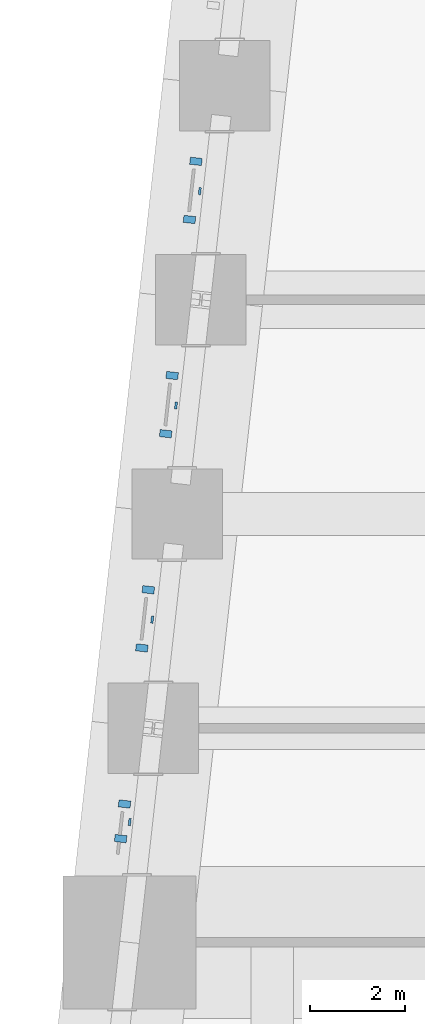
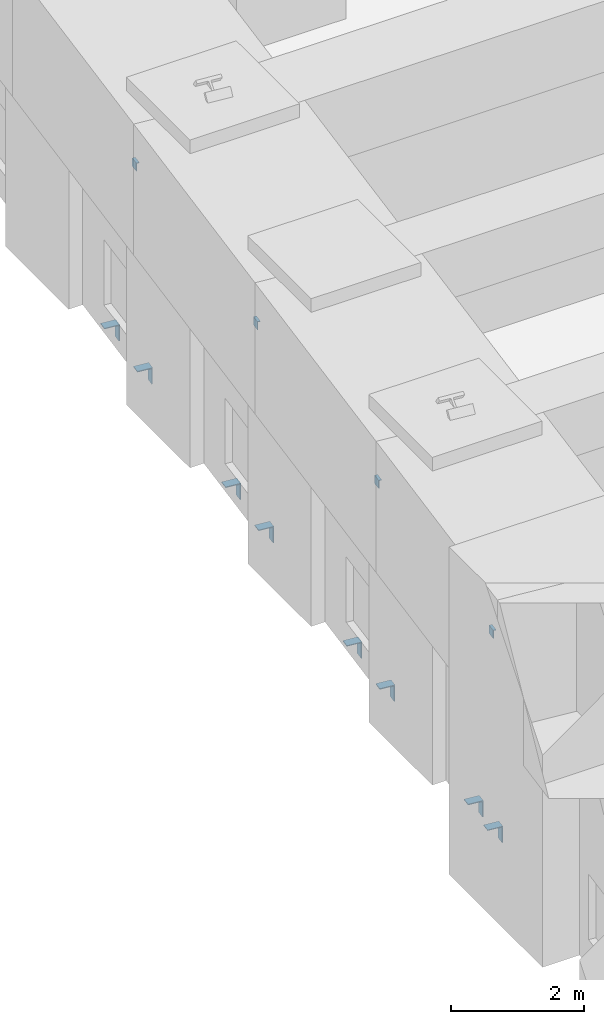
# One storey, part 11 of 17: 12 discrete accessories.
"""IFC4 building model written with IfcOpenShell, lengths in metres."""

import ifcopenshell
import ifcopenshell.guid

model = None  # the IFC model being written
_history = None  # IfcOwnerHistory: only IFC2X3 demands one
_inside = {}  # id of a spatial element -> (the spatial element, [elements in it])
_under = {}  # id of a project, library or spatial element -> (it, [spatial elements below it])
_declared = {}  # id of a project -> (the project, [libraries it declares])
_typed = {}  # id of a type object -> (the type object, [elements of that type])
_made_of = {}  # id of a material, layer set ... -> (it, [elements and type objects made of it])


def new_model(schema):
    """Start an empty IFC model of exactly this schema.

    Asked for "IFC4X3", IfcOpenShell would pick the latest addendum, in which some entities
    have other attributes; the version numbers below select the first issue.
    IFC2X3 requires an IfcOwnerHistory on every rooted entity: one is made here for all.
    """
    global model, _history
    if schema == "IFC4X3":
        model = ifcopenshell.file(schema_version=(4, 3, 0, 0))
    else:
        model = ifcopenshell.file(schema=schema)
    _inside.clear()
    _under.clear()
    _declared.clear()
    _typed.clear()
    _made_of.clear()
    _history = None
    if model.schema == "IFC2X3":
        org = make("IfcOrganization", Name="unknown")
        user = make(
            "IfcPersonAndOrganization",
            ThePerson=make("IfcPerson", FamilyName="unknown"),
            TheOrganization=org,
        )
        app = make(
            "IfcApplication",
            ApplicationDeveloper=org,
            Version="unknown",
            ApplicationFullName="unknown",
            ApplicationIdentifier="unknown",
        )
        _history = make(
            "IfcOwnerHistory",
            OwningUser=user,
            OwningApplication=app,
            ChangeAction="ADDED",
            CreationDate=0,
        )
    return model


def make(cls, **values):
    """One entity of the class cls with the attributes given. An attribute that is None is left unset."""
    return model.create_entity(
        cls, **{name: value for name, value in values.items() if value is not None}
    )


def rooted(cls, **values):
    """An entity with a GlobalId (a new one), such as an element, a storey or a relation."""
    return make(cls, GlobalId=ifcopenshell.guid.new(), OwnerHistory=_history, **values)


def si_unit(unit_type, name, prefix=None):
    """IfcSIUnit, for example si_unit("LENGTHUNIT", "METRE", prefix="MILLI")."""
    return make("IfcSIUnit", UnitType=unit_type, Prefix=prefix, Name=name)


def assignment(units):
    """IfcUnitAssignment: the units of a project."""
    return None if units is None else make("IfcUnitAssignment", Units=units)


def point(xyz):
    """IfcCartesianPoint."""
    return None if xyz is None else make("IfcCartesianPoint", Coordinates=xyz)


def direction(xyz):
    """IfcDirection."""
    return None if xyz is None else make("IfcDirection", DirectionRatios=xyz)


def frame(location, z_axis=None, x_axis=None):
    """IfcAxis2Placement3D, a coordinate frame: its origin and axes. An axis left out is left unset."""
    return make(
        "IfcAxis2Placement3D",
        Location=point(location),
        Axis=direction(z_axis),
        RefDirection=direction(x_axis),
    )


def origin():
    """The frame at (0, 0, 0) with its axes left unset."""
    return frame((0.0, 0.0, 0.0))


def place(relative_to, where):
    """IfcLocalPlacement: puts the frame where relative to a parent placement (None: the world)."""
    return make(
        "IfcLocalPlacement", PlacementRelTo=relative_to, RelativePlacement=where
    )


def context(
    kind, dimensions, precision=None, world=None, true_north=None, identifier=None
):
    """IfcGeometricRepresentationContext, for example the 3D "Model" context."""
    return make(
        "IfcGeometricRepresentationContext",
        ContextIdentifier=identifier,
        ContextType=kind,
        CoordinateSpaceDimension=dimensions,
        Precision=precision,
        WorldCoordinateSystem=world,
        TrueNorth=true_north,
    )


def subcontext(parent, identifier, kind, view, scale=None):
    """IfcGeometricRepresentationSubContext, for example "Body" below "Model"."""
    return make(
        "IfcGeometricRepresentationSubContext",
        ContextIdentifier=identifier,
        ContextType=kind,
        ParentContext=parent,
        TargetScale=scale,
        TargetView=view,
    )


def project(units=None, contexts=None):
    """IfcProject with its units and contexts."""
    return rooted(
        "IfcProject",
        Name="project",
        RepresentationContexts=contexts,
        UnitsInContext=assignment(units),
    )


def spatial(cls, under=None, at=None, **own):
    """A site, building, storey or space (cls), placed at a placement, below another one or the project."""
    s = rooted(cls, ObjectPlacement=at, **own)
    if under is not None:
        _under.setdefault(under.id(), (under, []))[1].append(s)
    return s


def polyline(points):
    """IfcPolyline through the points."""
    return make("IfcPolyline", Points=[point(p) for p in points])


def outline(outer, holes=None, kind="AREA"):
    """IfcArbitraryClosedProfileDef: a profile drawn as a closed curve; with holes, ...WithVoids."""
    if holes is None:
        return make("IfcArbitraryClosedProfileDef", ProfileType=kind, OuterCurve=outer)
    return make(
        "IfcArbitraryProfileDefWithVoids",
        ProfileType=kind,
        OuterCurve=outer,
        InnerCurves=holes,
    )


def extrude(swept, where, along, depth):
    """IfcExtrudedAreaSolid: the profile swept, set in the frame where, extruded along a direction by depth."""
    return make(
        "IfcExtrudedAreaSolid",
        SweptArea=swept,
        Position=where,
        ExtrudedDirection=direction(along),
        Depth=depth,
    )


def shape(context_of_items, identifier, shape_type, items):
    """IfcShapeRepresentation: the items that make up one representation, for example the "Body"."""
    return make(
        "IfcShapeRepresentation",
        ContextOfItems=context_of_items,
        RepresentationIdentifier=identifier,
        RepresentationType=shape_type,
        Items=items,
    )


def source(mapping_origin, context_of_items, identifier, shape_type, items):
    """IfcRepresentationMap: a shape defined once, which mapped items show again and again."""
    return make(
        "IfcRepresentationMap",
        MappingOrigin=mapping_origin,
        MappedRepresentation=shape(context_of_items, identifier, shape_type, items),
    )


def transform(
    local_origin,
    x_axis=None,
    y_axis=None,
    z_axis=None,
    scale=None,
    scale2=None,
    scale3=None,
    uniform=True,
):
    """IfcCartesianTransformationOperator3D, or its non-uniform kind. x_axis, y_axis, z_axis: its Axis1, 2, 3."""
    if uniform:
        return make(
            "IfcCartesianTransformationOperator3D",
            Axis1=direction(x_axis),
            Axis2=direction(y_axis),
            LocalOrigin=point(local_origin),
            Scale=scale,
            Axis3=direction(z_axis),
        )
    return make(
        "IfcCartesianTransformationOperator3DnonUniform",
        Axis1=direction(x_axis),
        Axis2=direction(y_axis),
        LocalOrigin=point(local_origin),
        Scale=scale,
        Axis3=direction(z_axis),
        Scale2=scale2,
        Scale3=scale3,
    )


def mapped(mapping_source, mapping_target):
    """IfcMappedItem: shows the shape of a source again, moved by a transform."""
    return make(
        "IfcMappedItem", MappingSource=mapping_source, MappingTarget=mapping_target
    )


def material(Name=None, Category=None):
    """IfcMaterial."""
    return make("IfcMaterial", Name=Name, Category=Category)


def layer(
    of_material, thickness, ventilated=None, Name=None, Category=None, Priority=None
):
    """IfcMaterialLayer: one layer of a wall or slab, of a material (None: an air gap)."""
    return make(
        "IfcMaterialLayer",
        Material=of_material,
        LayerThickness=thickness,
        IsVentilated=ventilated,
        Name=Name,
        Category=Category,
        Priority=Priority,
    )


def layer_set(layers, Name=None):
    """IfcMaterialLayerSet."""
    return make("IfcMaterialLayerSet", MaterialLayers=layers, LayerSetName=Name)


def made_of(thing, what):
    """Note that an element or type object is made of a material, layer set ...; save() writes the relation."""
    if what is not None:
        _made_of.setdefault(what.id(), (what, []))[1].append(thing)
    return thing


def type_object(cls, material=None, **own):
    """A type object (cls), such as IfcWallType, which elements share."""
    return made_of(rooted(cls, **own), material)


def element(
    cls,
    number,
    at=None,
    inside=None,
    cuts=None,
    type_object=None,
    material=None,
    context=None,
    identifier="Body",
    shape_type=None,
    held_by="IfcProductDefinitionShape",
    body=None,
    shapes=None,
    **own,
):
    """One element of the class cls, such as IfcWall. Its Tag is "e" and its number.

    at: its placement. inside: the storey or other place that contains it. cuts: it is an
    opening in that element (IfcRelVoidsElement). A single representation is given by context,
    identifier, shape_type and body (its items); several are given by shapes. held_by: the class
    of the entity that holds the representations. save() writes the other relations.
    """
    e = rooted(cls, Tag="e%d" % number, ObjectPlacement=at, **own)
    if body is not None:
        shapes = [shape(context, identifier, shape_type, body)]
    if shapes is not None:
        e.Representation = make(held_by, Representations=shapes)
    if inside is not None:
        _inside.setdefault(inside.id(), (inside, []))[1].append(e)
    if cuts is not None:
        rooted(
            "IfcRelVoidsElement", RelatingBuildingElement=cuts, RelatedOpeningElement=e
        )
    if type_object is not None:
        _typed.setdefault(type_object.id(), (type_object, []))[1].append(e)
    return made_of(e, material)


def aggregate(whole, parts):
    """IfcRelAggregates: a whole, such as a stair, and the parts it consists of."""
    return rooted("IfcRelAggregates", RelatingObject=whole, RelatedObjects=parts)


def save(model, path):
    """Write the relations noted so far, then the file.

    IfcRelAggregates (storeys below a building ...), IfcRelContainedInSpatialStructure (elements
    in a storey), IfcRelDefinesByType, IfcRelAssociatesMaterial and IfcRelDeclares: one each for
    every whole, place, type object, material and project.
    """
    for whole, parts in _under.values():
        aggregate(whole, parts)
    for where, things in _inside.values():
        rooted(
            "IfcRelContainedInSpatialStructure",
            RelatedElements=things,
            RelatingStructure=where,
        )
    for kind, things in _typed.values():
        rooted("IfcRelDefinesByType", RelatedObjects=things, RelatingType=kind)
    for what, things in _made_of.values():
        rooted("IfcRelAssociatesMaterial", RelatedObjects=things, RelatingMaterial=what)
    for by, libraries in _declared.values():
        rooted("IfcRelDeclares", RelatingContext=by, RelatedDefinitions=libraries)
    model.write(path)


model = new_model("IFC4")

# Units and contexts
model_context = context("Model", 3, precision=1e-05, world=origin(), true_north=direction((0.0, 1.0)))
body_context = subcontext(model_context, "Body", "Model", "MODEL_VIEW")
ifc_project = project(units=[si_unit("LENGTHUNIT", "METRE"), si_unit("AREAUNIT", "SQUARE_METRE"), si_unit("VOLUMEUNIT", "CUBIC_METRE"), si_unit("PLANEANGLEUNIT", "RADIAN"), si_unit("MASSUNIT", "GRAM", prefix="KILO")], contexts=[model_context])

# Site, building, storey
site_placement = place(None, origin())
site = spatial("IfcSite", under=ifc_project, at=site_placement, CompositionType="ELEMENT")
building_placement = place(site_placement, origin())
building = spatial("IfcBuilding", under=site, at=building_placement, Name="Kilele Tower Hotel", CompositionType="ELEMENT")
storey_placement = place(building_placement, frame((0.0, 0.0, 151.89990234375)))
storey = spatial("IfcBuildingStorey", under=building, at=storey_placement, Name="L39", CompositionType="ELEMENT", Elevation=151.89990234375)

# Discrete accessories
ifc_material_1 = material(Name="Hot-dip galvanized steel S355", Category="steel")
ifc_layer_1 = layer(ifc_material_1, 0.014892578125)
ifc_layer_set_1 = layer_set([ifc_layer_1], Name="Hot-dip galvanized steel S355")
discrete_accessory_type_1 = type_object("IfcDiscreteAccessoryType", Name="Facade panel bearing bracket 250x150x15", PredefinedType="BRACKET", material=ifc_layer_set_1)
shared_shape_1 = source(origin(), body_context, "Body", "SweptSolid", [
    extrude(outline(polyline([(0.0, 0.0), (0.25, 0.0), (0.25, -0.014892578125), (0.014892578125, -0.014892578125), (0.014892578125, -0.300048828125), (0.0, -0.300048828125), (0.0, 0.0)])), origin(), (0.0, 0.0, 1.0), 0.14990234375),
])
for number, where, z_axis, x_axis, name in (
    (1, (3.011474609375, 29.819580078125, 0.0), (0.110432, 0.993884, 0.0), (-0.993884, 0.110432, 0.0), "Facade panel bearing bracket L39"),
    (2, (2.875732421875, 28.59765625, 0.0), (0.110432, 0.993884, 0.0), (-0.993884, 0.110432, 0.0), "Facade panel bearing bracket L39"),
    (3, (2.511474609375, 25.319580078125, 0.0), (0.110432, 0.993884, 0.0), (-0.993884, 0.110432, 0.0), "Facade panel bearing bracket L39"),
    (4, (2.375732421875, 24.09765625, 0.0), (0.110432, 0.993884, 0.0), (-0.993884, 0.110432, 0.0), "Facade panel bearing bracket L39"),
    (5, (2.011474609375, 20.819580078125, 0.0), (0.110432, 0.993884, 0.0), (-0.993884, 0.110432, 0.0), "Facade panel bearing bracket L39"),
    (6, (1.875732421875, 19.59765625, 0.0), (0.110432, 0.993884, 0.0), (-0.993884, 0.110432, 0.0), "Facade panel bearing bracket L39"),
    (7, (1.511474609375, 16.319580078125, 0.0), (0.110432, 0.993884, 0.0), (-0.993884, 0.110432, 0.0), "Facade panel bearing bracket L39"),
    (8, (1.430419921875, 15.591552734375, 0.0), (0.110432, 0.993884, 0.0), (-0.993884, 0.110432, 0.0), "Facade panel bearing bracket L39"),
):
    element("IfcDiscreteAccessory", number, at=place(storey_placement, frame(where, z_axis=z_axis, x_axis=x_axis)), inside=storey, type_object=discrete_accessory_type_1, Name=name, PredefinedType="BRACKET", context=body_context, shape_type="MappedRepresentation", body=[
        mapped(shared_shape_1, transform((0.0, 0.0, 0.0))),
    ])
ifc_material_2 = material(Name="Hot-dip galvanized steel S355", Category="steel")
ifc_layer_2 = layer(ifc_material_2, 0.011962890625)
ifc_layer_set_2 = layer_set([ifc_layer_2], Name="Hot-dip galvanized steel S355")
discrete_accessory_type_2 = type_object("IfcDiscreteAccessoryType", Name="Facade panel restraint bracket 150x50x12", PredefinedType="BRACKET", material=ifc_layer_set_2)
shared_shape_2 = source(origin(), body_context, "Body", "SweptSolid", [
    extrude(outline(polyline([(0.0, 0.0), (0.0, -0.14990234375), (-0.011962890625, -0.14990234375), (-0.011962890625, -0.011962890625), (-0.050048828125, -0.011962890625), (-0.050048828125, 0.0), (0.0, 0.0)])), origin(), (0.0, 0.0, 1.0), 0.14990234375),
])
for number, where, z_axis, x_axis, name in (
    (9, (2.943603515625, 29.20849609375, 3.35009765625), (0.110432, 0.993884, 0.0), (-0.993884, 0.110432, 0.0), "Facade panel restraint bracket L39"),
    (10, (2.443603515625, 24.70849609375, 3.35009765625), (0.110432, 0.993884, 0.0), (-0.993884, 0.110432, 0.0), "Facade panel restraint bracket L39"),
    (11, (1.943603515625, 20.20849609375, 3.35009765625), (0.110432, 0.993884, 0.0), (-0.993884, 0.110432, 0.0), "Facade panel restraint bracket L39"),
    (12, (1.470947265625, 15.95556640625, 3.35009765625), (0.110432, 0.993884, 0.0), (-0.993884, 0.110432, 0.0), "Facade panel restraint bracket L39"),
):
    element("IfcDiscreteAccessory", number, at=place(storey_placement, frame(where, z_axis=z_axis, x_axis=x_axis)), inside=storey, type_object=discrete_accessory_type_2, Name=name, PredefinedType="BRACKET", context=body_context, shape_type="MappedRepresentation", body=[
        mapped(shared_shape_2, transform((0.0, 0.0, 0.0))),
    ])

save(model, "model.ifc")
